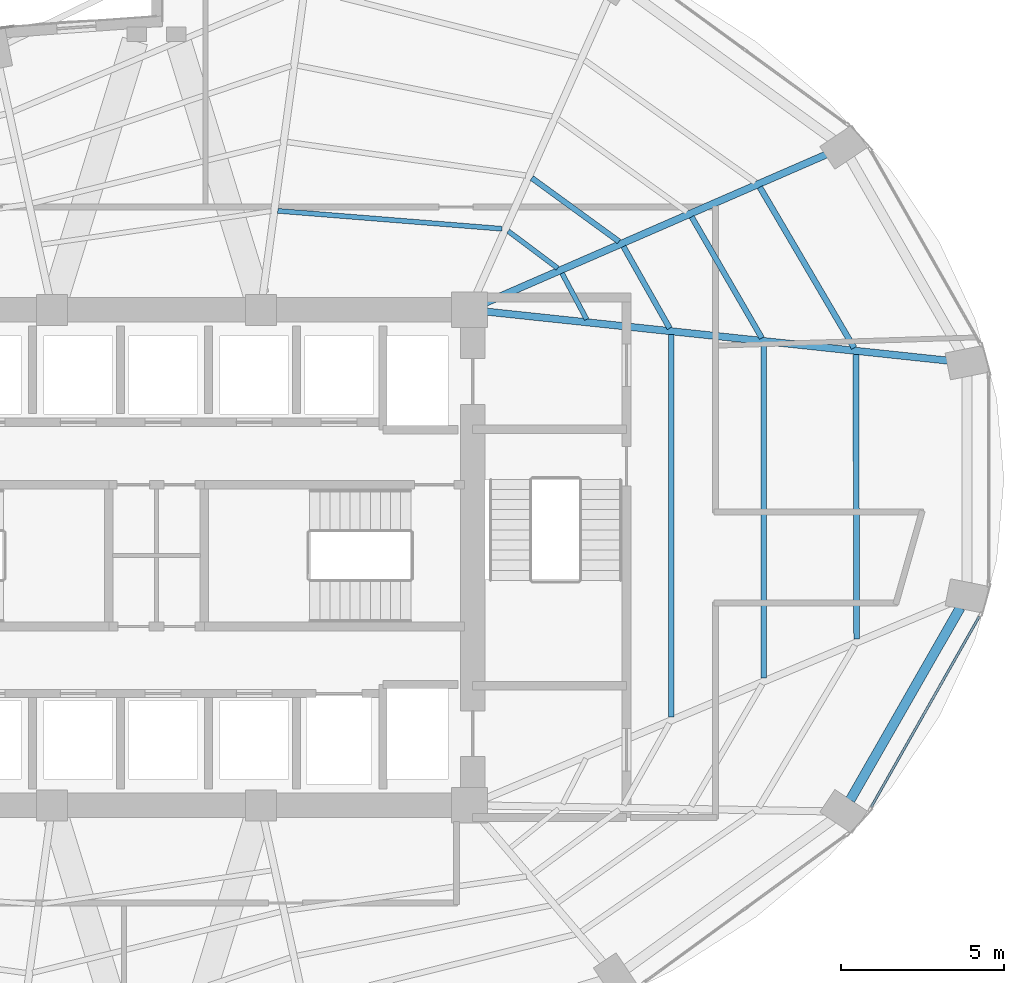
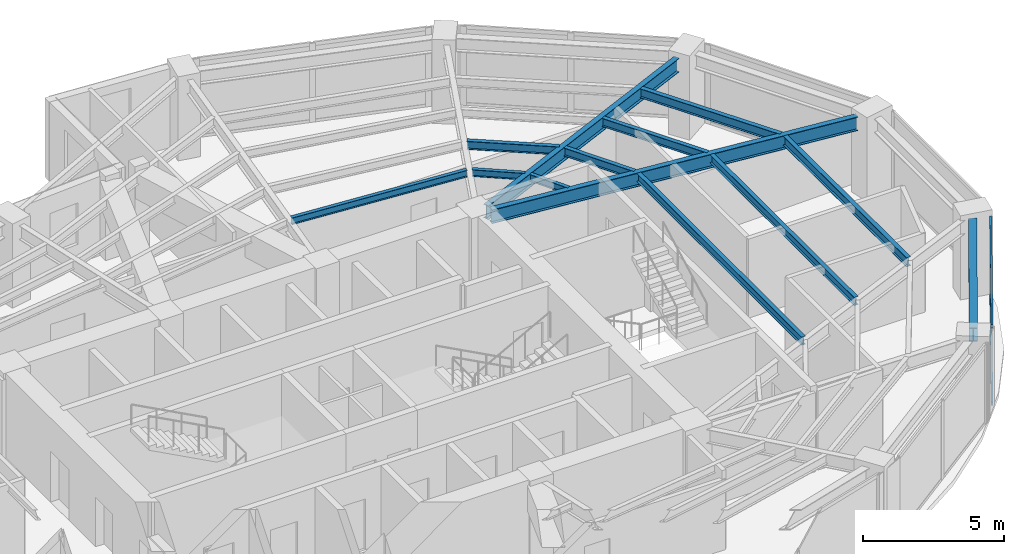
# One storey, part 12 of 23: 13 beams, 2 members, 1 element without a shape of its own.
"""IFC4 building model written with IfcOpenShell, lengths in metres."""

import ifcopenshell
import ifcopenshell.guid

model = None  # the IFC model being written
_history = None  # IfcOwnerHistory: only IFC2X3 demands one
_inside = {}  # id of a spatial element -> (the spatial element, [elements in it])
_under = {}  # id of a project, library or spatial element -> (it, [spatial elements below it])
_declared = {}  # id of a project -> (the project, [libraries it declares])
_typed = {}  # id of a type object -> (the type object, [elements of that type])
_made_of = {}  # id of a material, layer set ... -> (it, [elements and type objects made of it])


def new_model(schema):
    """Start an empty IFC model of exactly this schema.

    Asked for "IFC4X3", IfcOpenShell would pick the latest addendum, in which some entities
    have other attributes; the version numbers below select the first issue.
    IFC2X3 requires an IfcOwnerHistory on every rooted entity: one is made here for all.
    """
    global model, _history
    if schema == "IFC4X3":
        model = ifcopenshell.file(schema_version=(4, 3, 0, 0))
    else:
        model = ifcopenshell.file(schema=schema)
    _inside.clear()
    _under.clear()
    _declared.clear()
    _typed.clear()
    _made_of.clear()
    _history = None
    if model.schema == "IFC2X3":
        org = make("IfcOrganization", Name="unknown")
        user = make(
            "IfcPersonAndOrganization",
            ThePerson=make("IfcPerson", FamilyName="unknown"),
            TheOrganization=org,
        )
        app = make(
            "IfcApplication",
            ApplicationDeveloper=org,
            Version="unknown",
            ApplicationFullName="unknown",
            ApplicationIdentifier="unknown",
        )
        _history = make(
            "IfcOwnerHistory",
            OwningUser=user,
            OwningApplication=app,
            ChangeAction="ADDED",
            CreationDate=0,
        )
    return model


def make(cls, **values):
    """One entity of the class cls with the attributes given. An attribute that is None is left unset."""
    return model.create_entity(
        cls, **{name: value for name, value in values.items() if value is not None}
    )


def rooted(cls, **values):
    """An entity with a GlobalId (a new one), such as an element, a storey or a relation."""
    return make(cls, GlobalId=ifcopenshell.guid.new(), OwnerHistory=_history, **values)


def si_unit(unit_type, name, prefix=None):
    """IfcSIUnit, for example si_unit("LENGTHUNIT", "METRE", prefix="MILLI")."""
    return make("IfcSIUnit", UnitType=unit_type, Prefix=prefix, Name=name)


def assignment(units):
    """IfcUnitAssignment: the units of a project."""
    return None if units is None else make("IfcUnitAssignment", Units=units)


def point(xyz):
    """IfcCartesianPoint."""
    return None if xyz is None else make("IfcCartesianPoint", Coordinates=xyz)


def direction(xyz):
    """IfcDirection."""
    return None if xyz is None else make("IfcDirection", DirectionRatios=xyz)


def frame(location, z_axis=None, x_axis=None):
    """IfcAxis2Placement3D, a coordinate frame: its origin and axes. An axis left out is left unset."""
    return make(
        "IfcAxis2Placement3D",
        Location=point(location),
        Axis=direction(z_axis),
        RefDirection=direction(x_axis),
    )


def frame_2d(location, x_axis=None):
    """IfcAxis2Placement2D, a coordinate frame in the plane: its origin and x axis."""
    return make(
        "IfcAxis2Placement2D", Location=point(location), RefDirection=direction(x_axis)
    )


def origin():
    """The frame at (0, 0, 0) with its axes left unset."""
    return frame((0.0, 0.0, 0.0))


def origin_2d():
    """The frame at (0, 0) in the plane with its x axis left unset."""
    return frame_2d((0.0, 0.0))


def place(relative_to, where):
    """IfcLocalPlacement: puts the frame where relative to a parent placement (None: the world)."""
    return make(
        "IfcLocalPlacement", PlacementRelTo=relative_to, RelativePlacement=where
    )


def context(
    kind, dimensions, precision=None, world=None, true_north=None, identifier=None
):
    """IfcGeometricRepresentationContext, for example the 3D "Model" context."""
    return make(
        "IfcGeometricRepresentationContext",
        ContextIdentifier=identifier,
        ContextType=kind,
        CoordinateSpaceDimension=dimensions,
        Precision=precision,
        WorldCoordinateSystem=world,
        TrueNorth=true_north,
    )


def subcontext(parent, identifier, kind, view, scale=None):
    """IfcGeometricRepresentationSubContext, for example "Body" below "Model"."""
    return make(
        "IfcGeometricRepresentationSubContext",
        ContextIdentifier=identifier,
        ContextType=kind,
        ParentContext=parent,
        TargetScale=scale,
        TargetView=view,
    )


def project(units=None, contexts=None):
    """IfcProject with its units and contexts."""
    return rooted(
        "IfcProject",
        Name="project",
        RepresentationContexts=contexts,
        UnitsInContext=assignment(units),
    )


def spatial(cls, under=None, at=None, **own):
    """A site, building, storey or space (cls), placed at a placement, below another one or the project."""
    s = rooted(cls, ObjectPlacement=at, **own)
    if under is not None:
        _under.setdefault(under.id(), (under, []))[1].append(s)
    return s


def profile(cls, at=None, kind="AREA", **sizes):
    """A parametric profile (cls). Its sizes go by their IFC names, for example OverallWidth=200.0."""
    return make(cls, ProfileType=kind, Position=at, **sizes)


def hollow_rectangle(**sizes):
    """IfcRectangleHollowProfileDef."""
    return profile("IfcRectangleHollowProfileDef", **sizes)


def i_section(**sizes):
    """IfcIShapeProfileDef."""
    return profile("IfcIShapeProfileDef", **sizes)


def extrude(swept, where, along, depth):
    """IfcExtrudedAreaSolid: the profile swept, set in the frame where, extruded along a direction by depth."""
    return make(
        "IfcExtrudedAreaSolid",
        SweptArea=swept,
        Position=where,
        ExtrudedDirection=direction(along),
        Depth=depth,
    )


def shape(context_of_items, identifier, shape_type, items):
    """IfcShapeRepresentation: the items that make up one representation, for example the "Body"."""
    return make(
        "IfcShapeRepresentation",
        ContextOfItems=context_of_items,
        RepresentationIdentifier=identifier,
        RepresentationType=shape_type,
        Items=items,
    )


def material(Name=None, Category=None):
    """IfcMaterial."""
    return make("IfcMaterial", Name=Name, Category=Category)


def layer(
    of_material, thickness, ventilated=None, Name=None, Category=None, Priority=None
):
    """IfcMaterialLayer: one layer of a wall or slab, of a material (None: an air gap)."""
    return make(
        "IfcMaterialLayer",
        Material=of_material,
        LayerThickness=thickness,
        IsVentilated=ventilated,
        Name=Name,
        Category=Category,
        Priority=Priority,
    )


def layer_set(layers, Name=None):
    """IfcMaterialLayerSet."""
    return make("IfcMaterialLayerSet", MaterialLayers=layers, LayerSetName=Name)


def material_profile(
    of_material, cross_section, Name=None, Category=None, Priority=None
):
    """IfcMaterialProfile: a cross section and its material."""
    return make(
        "IfcMaterialProfile",
        Name=Name,
        Material=of_material,
        Profile=cross_section,
        Priority=Priority,
        Category=Category,
    )


def profile_set(profiles, Name=None, composite=None):
    """IfcMaterialProfileSet."""
    return make(
        "IfcMaterialProfileSet",
        Name=Name,
        MaterialProfiles=profiles,
        CompositeProfile=composite,
    )


def made_of(thing, what):
    """Note that an element or type object is made of a material, layer set ...; save() writes the relation."""
    if what is not None:
        _made_of.setdefault(what.id(), (what, []))[1].append(thing)
    return thing


def type_object(cls, material=None, **own):
    """A type object (cls), such as IfcWallType, which elements share."""
    return made_of(rooted(cls, **own), material)


def element(
    cls,
    number,
    at=None,
    inside=None,
    cuts=None,
    type_object=None,
    material=None,
    context=None,
    identifier="Body",
    shape_type=None,
    held_by="IfcProductDefinitionShape",
    body=None,
    shapes=None,
    **own,
):
    """One element of the class cls, such as IfcWall. Its Tag is "e" and its number.

    at: its placement. inside: the storey or other place that contains it. cuts: it is an
    opening in that element (IfcRelVoidsElement). A single representation is given by context,
    identifier, shape_type and body (its items); several are given by shapes. held_by: the class
    of the entity that holds the representations. save() writes the other relations.
    """
    e = rooted(cls, Tag="e%d" % number, ObjectPlacement=at, **own)
    if body is not None:
        shapes = [shape(context, identifier, shape_type, body)]
    if shapes is not None:
        e.Representation = make(held_by, Representations=shapes)
    if inside is not None:
        _inside.setdefault(inside.id(), (inside, []))[1].append(e)
    if cuts is not None:
        rooted(
            "IfcRelVoidsElement", RelatingBuildingElement=cuts, RelatedOpeningElement=e
        )
    if type_object is not None:
        _typed.setdefault(type_object.id(), (type_object, []))[1].append(e)
    return made_of(e, material)


def aggregate(whole, parts):
    """IfcRelAggregates: a whole, such as a stair, and the parts it consists of."""
    return rooted("IfcRelAggregates", RelatingObject=whole, RelatedObjects=parts)


def save(model, path):
    """Write the relations noted so far, then the file.

    IfcRelAggregates (storeys below a building ...), IfcRelContainedInSpatialStructure (elements
    in a storey), IfcRelDefinesByType, IfcRelAssociatesMaterial and IfcRelDeclares: one each for
    every whole, place, type object, material and project.
    """
    for whole, parts in _under.values():
        aggregate(whole, parts)
    for where, things in _inside.values():
        rooted(
            "IfcRelContainedInSpatialStructure",
            RelatedElements=things,
            RelatingStructure=where,
        )
    for kind, things in _typed.values():
        rooted("IfcRelDefinesByType", RelatedObjects=things, RelatingType=kind)
    for what, things in _made_of.values():
        rooted("IfcRelAssociatesMaterial", RelatedObjects=things, RelatingMaterial=what)
    for by, libraries in _declared.values():
        rooted("IfcRelDeclares", RelatingContext=by, RelatedDefinitions=libraries)
    model.write(path)


model = new_model("IFC4")

# Units and contexts
model_context = context("Model", 3, precision=1e-05, world=origin(), true_north=direction((0.0, 1.0)))
body_context = subcontext(model_context, "Body", "Model", "MODEL_VIEW")
ifc_project = project(units=[si_unit("LENGTHUNIT", "METRE"), si_unit("AREAUNIT", "SQUARE_METRE"), si_unit("VOLUMEUNIT", "CUBIC_METRE"), si_unit("PLANEANGLEUNIT", "RADIAN"), si_unit("MASSUNIT", "GRAM", prefix="KILO")], contexts=[model_context])

# Site, building, storey
site_placement = place(None, origin())
site = spatial("IfcSite", under=ifc_project, at=site_placement, CompositionType="ELEMENT")
building_placement = place(site_placement, origin())
building = spatial("IfcBuilding", under=site, at=building_placement, Name="Lazwardi Medical Tower", CompositionType="ELEMENT")
storey_placement = place(building_placement, frame((0.0, 0.0, 92.68798828125)))
storey = spatial("IfcBuildingStorey", under=building, at=storey_placement, Name="L23", CompositionType="ELEMENT", Elevation=92.68798828125)

# Beams
ifc_material_1 = material(Name="Steel S355", Category="steel")
ifc_material_profile_1 = material_profile(ifc_material_1, i_section(OverallWidth=0.300048828125, OverallDepth=0.60009765625, WebThickness=0.015380859375, FlangeThickness=0.030029296875, at=origin_2d()), Name="HEB 600")
ifc_profile_set_1 = profile_set([ifc_material_profile_1], Name="Steel S355")
beam_type_1 = type_object("IfcBeamType", Name="BM-RB-Z2", PredefinedType="BEAM", material=ifc_profile_set_1)
beam_1_placement = place(storey_placement, frame((57.281494140625, 20.561279296875, 3.1279296875), z_axis=(0.496653025517, 0.867949176072, 0.0), x_axis=(-0.867949176072, 0.496653025517, 0.0)))
element("IfcBeam", 1, at=beam_1_placement, inside=storey, type_object=beam_type_1, Name="Ring beam RB-03 B03 L23", PredefinedType="BEAM", context=body_context, shape_type="SweptSolid", body=[
    extrude(i_section(OverallWidth=0.300048828125, OverallDepth=0.60009765625, WebThickness=0.015380859375, FlangeThickness=0.030029296875, at=origin_2d()), origin(), (0.0, 0.0, 1.0), 6.80078125),
])
ifc_material_profile_2 = material_profile(ifc_material_1, i_section(OverallWidth=0.219970703125, OverallDepth=0.60009765625, WebThickness=0.011962890625, FlangeThickness=0.01904296875, at=origin_2d()), Name="IPE 600")
ifc_profile_set_2 = profile_set([ifc_material_profile_2], Name="Steel S355")
beam_type_2 = type_object("IfcBeamType", Name="BM-RG-W1", PredefinedType="BEAM", material=ifc_profile_set_2)
beam_2_placement = place(storey_placement, frame((60.2861328125, 34.041015625, 3.1279296875), z_axis=(-0.994413340753, 0.10555618282, 0.0), x_axis=(-0.10555618282, -0.994413340753, 0.0)))
element("IfcBeam", 2, at=beam_2_placement, inside=storey, type_object=beam_type_2, Name="Radial girder RG-02 R05 L23", PredefinedType="BEAM", context=body_context, shape_type="SweptSolid", body=[
    extrude(i_section(OverallWidth=0.219970703125, OverallDepth=0.60009765625, WebThickness=0.011962890625, FlangeThickness=0.01904296875, at=origin_2d()), origin(), (0.0, 0.0, 1.0), 14.233642578125),
])
beam_3_placement = place(storey_placement, frame((56.5458984375, 40.36328125, 3.1279296875), z_axis=(-0.916941336121, -0.399022037127, 0.0), x_axis=(0.399022037127, -0.916941336121, 0.0)))
element("IfcBeam", 3, at=beam_3_placement, inside=storey, type_object=beam_type_2, Name="Radial girder RG-02 R06 L23", PredefinedType="BEAM", context=body_context, shape_type="SweptSolid", body=[
    extrude(i_section(OverallWidth=0.219970703125, OverallDepth=0.60009765625, WebThickness=0.011962890625, FlangeThickness=0.01904296875, at=origin_2d()), origin(), (0.0, 0.0, 1.0), 11.40234375),
])
ifc_material_profile_3 = material_profile(ifc_material_1, i_section(OverallWidth=0.179931640625, OverallDepth=0.39990234375, WebThickness=0.008544921875, FlangeThickness=0.013427734375, at=origin_2d()), Name="IPE 400")
ifc_profile_set_3 = profile_set([ifc_material_profile_3], Name="Steel S355")
beam_type_3 = type_object("IfcBeamType", Name="BM-SJ-01", PredefinedType="JOIST", material=ifc_profile_set_3)
beam_4_placement = place(storey_placement, frame((57.48095703125, 25.502685546875, 3.22802734375), z_axis=(-0.002907126978, 0.999995774297, 0.0), x_axis=(-0.999995774297, -0.002907126978, 0.0)))
element("IfcBeam", 4, at=beam_4_placement, inside=storey, type_object=beam_type_3, Name="Secondary joist SJ-01 R1 B04 L23", PredefinedType="JOIST", context=body_context, shape_type="SweptSolid", body=[
    extrude(i_section(OverallWidth=0.179931640625, OverallDepth=0.39990234375, WebThickness=0.008544921875, FlangeThickness=0.013427734375, at=origin_2d()), origin(), (0.0, 0.0, 1.0), 8.73388671875),
])
beam_5_placement = place(storey_placement, frame((57.402099609375, 34.43212890625, 3.22802734375), z_axis=(-0.506195045201, 0.862419025888, 0.0), x_axis=(-0.862419025888, -0.506195045201, 0.0)))
element("IfcBeam", 5, at=beam_5_placement, inside=storey, type_object=beam_type_3, Name="Secondary joist SJ-01 R1 B05 L23", PredefinedType="JOIST", context=body_context, shape_type="SweptSolid", body=[
    extrude(i_section(OverallWidth=0.179931640625, OverallDepth=0.39990234375, WebThickness=0.008544921875, FlangeThickness=0.013427734375, at=origin_2d()), origin(), (0.0, 0.0, 1.0), 5.71728515625),
])
ifc_material_profile_4 = material_profile(ifc_material_1, i_section(OverallWidth=0.169921875, OverallDepth=0.360107421875, WebThickness=0.008056640625, FlangeThickness=0.0126953125, at=origin_2d()), Name="IPE 360")
ifc_profile_set_4 = profile_set([ifc_material_profile_4], Name="Steel S355")
beam_type_4 = type_object("IfcBeamType", Name="BM-SJ-02", PredefinedType="JOIST", material=ifc_profile_set_4)
beam_6_placement = place(storey_placement, frame((54.634033203125, 24.30517578125, 3.248046875), z_axis=(-0.000930565095, 0.999999567024, 0.0), x_axis=(-0.999999567024, -0.000930565095, 0.0)))
element("IfcBeam", 6, at=beam_6_placement, inside=storey, type_object=beam_type_4, Name="Secondary joist SJ-02 R2 B04 L23", PredefinedType="JOIST", context=body_context, shape_type="SweptSolid", body=[
    extrude(i_section(OverallWidth=0.169921875, OverallDepth=0.360107421875, WebThickness=0.008056640625, FlangeThickness=0.0126953125, at=origin_2d()), origin(), (0.0, 0.0, 1.0), 10.23193359375),
])
beam_7_placement = place(storey_placement, frame((54.57177734375, 34.73291015625, 3.248046875), z_axis=(-0.501365325212, 0.865235696602, 0.0), x_axis=(-0.865235696602, -0.501365325212, 0.0)))
element("IfcBeam", 7, at=beam_7_placement, inside=storey, type_object=beam_type_4, Name="Secondary joist SJ-02 R2 B05 L23", PredefinedType="JOIST", context=body_context, shape_type="SweptSolid", body=[
    extrude(i_section(OverallWidth=0.169921875, OverallDepth=0.360107421875, WebThickness=0.008056640625, FlangeThickness=0.0126953125, at=origin_2d()), origin(), (0.0, 0.0, 1.0), 4.298828125),
])
beam_8_placement = place(storey_placement, frame((51.787109375, 23.107421875, 3.248046875), z_axis=(0.000561961365, 0.9999998421, 0.0), x_axis=(-0.9999998421, 0.000561961365, 0.0)))
element("IfcBeam", 8, at=beam_8_placement, inside=storey, type_object=beam_type_4, Name="Secondary joist SJ-02 R3 B04 L23", PredefinedType="JOIST", context=body_context, shape_type="SweptSolid", body=[
    extrude(i_section(OverallWidth=0.169921875, OverallDepth=0.360107421875, WebThickness=0.008056640625, FlangeThickness=0.0126953125, at=origin_2d()), origin(), (0.0, 0.0, 1.0), 11.72998046875),
])
beam_9_placement = place(storey_placement, frame((51.741943359375, 35.033935546875, 3.248046875), z_axis=(-0.492026539517, 0.870580199873, 0.0), x_axis=(-0.870580199873, -0.492026539517, 0.0)))
element("IfcBeam", 9, at=beam_9_placement, inside=storey, type_object=beam_type_4, Name="Secondary joist SJ-02 R3 B05 L23", PredefinedType="JOIST", context=body_context, shape_type="SweptSolid", body=[
    extrude(i_section(OverallWidth=0.169921875, OverallDepth=0.360107421875, WebThickness=0.008056640625, FlangeThickness=0.0126953125, at=origin_2d()), origin(), (0.0, 0.0, 1.0), 2.880859375),
])
beam_10_placement = place(storey_placement, frame((50.18798828125, 37.6953125, 3.248046875), z_axis=(-0.808301737247, 0.588768461761, 0.0), x_axis=(-0.588768461761, -0.808301737247, 0.0)))
element("IfcBeam", 10, at=beam_10_placement, inside=storey, type_object=beam_type_4, Name="Secondary joist SJ-02 R3 B06 L23", PredefinedType="JOIST", context=body_context, shape_type="SweptSolid", body=[
    extrude(i_section(OverallWidth=0.169921875, OverallDepth=0.360107421875, WebThickness=0.008056640625, FlangeThickness=0.0126953125, at=origin_2d()), origin(), (0.0, 0.0, 1.0), 3.307373046875),
])
ifc_material_profile_5 = material_profile(ifc_material_1, i_section(OverallWidth=0.14990234375, OverallDepth=0.300048828125, WebThickness=0.007080078125, FlangeThickness=0.0107421875, at=origin_2d()), Name="IPE 300")
ifc_profile_set_5 = profile_set([ifc_material_profile_5], Name="Steel S355")
beam_type_5 = type_object("IfcBeamType", Name="BM-SJ-03", PredefinedType="JOIST", material=ifc_profile_set_5)
beam_11_placement = place(storey_placement, frame((49.1962890625, 35.3056640625, 3.278076171875), z_axis=(-0.471022344925, 0.882121278839, 0.0), x_axis=(-0.882121278839, -0.471022344925, 0.0)))
element("IfcBeam", 11, at=beam_11_placement, inside=storey, type_object=beam_type_5, Name="Secondary joist SJ-03 R4 B05 L23", PredefinedType="JOIST", context=body_context, shape_type="SweptSolid", body=[
    extrude(i_section(OverallWidth=0.14990234375, OverallDepth=0.300048828125, WebThickness=0.007080078125, FlangeThickness=0.0107421875, at=origin_2d()), origin(), (0.0, 0.0, 1.0), 1.605224609375),
])
beam_12_placement = place(storey_placement, frame((48.306640625, 36.87744140625, 3.278076171875), z_axis=(-0.800447687995, 0.599402618265, 0.0), x_axis=(-0.599402618265, -0.800447687995, 0.0)))
element("IfcBeam", 12, at=beam_12_placement, inside=storey, type_object=beam_type_5, Name="Secondary joist SJ-03 R4 B06 L23", PredefinedType="JOIST", context=body_context, shape_type="SweptSolid", body=[
    extrude(i_section(OverallWidth=0.14990234375, OverallDepth=0.300048828125, WebThickness=0.007080078125, FlangeThickness=0.0107421875, at=origin_2d()), origin(), (0.0, 0.0, 1.0), 1.896728515625),
])
beam_13_placement = place(storey_placement, frame((46.599609375, 38.085693359375, 3.278076171875), z_axis=(-0.996816178299, 0.079733974445, 0.0), x_axis=(-0.079733974445, -0.996816178299, 0.0)))
element("IfcBeam", 13, at=beam_13_placement, inside=storey, type_object=beam_type_5, Name="Secondary joist SJ-03 R4 B07 L23", PredefinedType="JOIST", context=body_context, shape_type="SweptSolid", body=[
    extrude(i_section(OverallWidth=0.14990234375, OverallDepth=0.300048828125, WebThickness=0.007080078125, FlangeThickness=0.0107421875, at=origin_2d()), origin(), (0.0, 0.0, 1.0), 6.901611328125),
])

# Curtain wall, members
ifc_material_2 = material(Name="Anodised bronze aluminium and solar control glazing", Category="aluminium")
ifc_layer = layer(ifc_material_2, 0.195068359375)
ifc_layer_set = layer_set([ifc_layer], Name="Anodised bronze aluminium and solar control glazing")
curtain_wall_type = type_object("IfcCurtainWallType", Name="CW-SYS-03", PredefinedType="NOTDEFINED", material=ifc_layer_set)
curtain_wall_placement = place(storey_placement, origin())
curtain_wall = element("IfcCurtainWall", 14, at=curtain_wall_placement, inside=storey, type_object=curtain_wall_type, Name="L23 Unitised bronze curtain wall CW-03", PredefinedType="NOTDEFINED")
ifc_material_3 = material(Name="Anodised bronze aluminium", Category="aluminium")
ifc_material_profile_6 = material_profile(ifc_material_3, hollow_rectangle(XDim=0.074951171875, YDim=0.159912109375, WallThickness=0.00390625, at=origin_2d()), Name="ALU-TRANSOM 160x75x4")
ifc_profile_set_6 = profile_set([ifc_material_profile_6], Name="Anodised bronze aluminium")
member_type = type_object("IfcMemberType", Name="CW-TRN-01", PredefinedType="USERDEFINED", material=ifc_profile_set_6)
member_1_placement = place(storey_placement, frame((57.925537109375, 20.3466796875, 0.03759765625), z_axis=(0.493614427365, 0.869680859337, 0.0), x_axis=(-0.869680859337, 0.493614427365, 0.0)))
member_1 = element("IfcMember", 15, at=member_1_placement, type_object=member_type, Name="CW-03 transom 1.1", ObjectType="TRANSOM", PredefinedType="USERDEFINED", context=body_context, shape_type="SweptSolid", body=[
    extrude(hollow_rectangle(XDim=0.074951171875, YDim=0.159912109375, WallThickness=0.00390625, at=origin_2d()), origin(), (0.0, 0.0, 1.0), 6.72314453125),
])
member_2_placement = place(storey_placement, frame((57.925537109375, 20.3466796875, 3.390625), z_axis=(0.493614427365, 0.869680859337, 0.0), x_axis=(-0.869680859337, 0.493614427365, 0.0)))
member_2 = element("IfcMember", 16, at=member_2_placement, type_object=member_type, Name="CW-03 transom 1.2", ObjectType="TRANSOM", PredefinedType="USERDEFINED", context=body_context, shape_type="SweptSolid", body=[
    extrude(hollow_rectangle(XDim=0.074951171875, YDim=0.159912109375, WallThickness=0.00390625, at=origin_2d()), origin(), (0.0, 0.0, 1.0), 6.72314453125),
])
aggregate(curtain_wall, [member_1, member_2])

save(model, "model.ifc")
